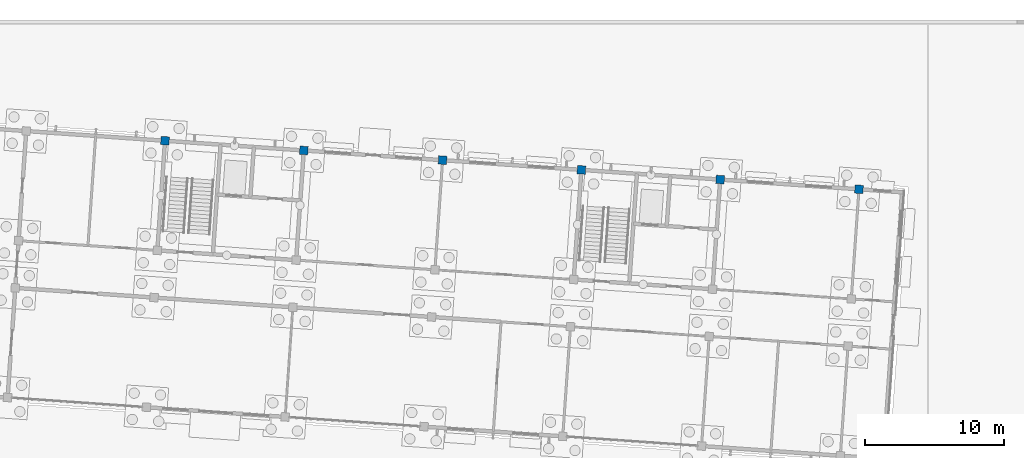
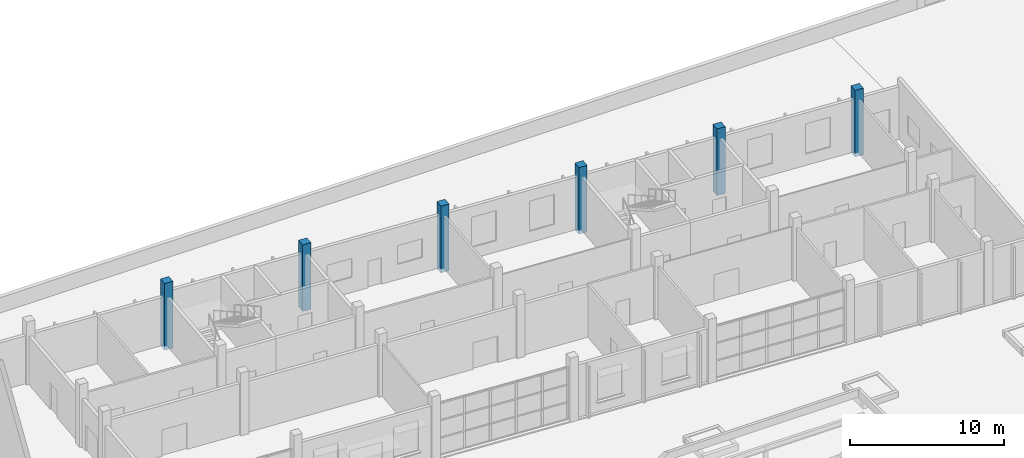
# One storey, part 29 of 157: 6 columns.
"""IFC4 building model written with IfcOpenShell, lengths in metres."""

import ifcopenshell
import ifcopenshell.guid

model = None  # the IFC model being written
_history = None  # IfcOwnerHistory: only IFC2X3 demands one
_inside = {}  # id of a spatial element -> (the spatial element, [elements in it])
_under = {}  # id of a project, library or spatial element -> (it, [spatial elements below it])
_declared = {}  # id of a project -> (the project, [libraries it declares])
_typed = {}  # id of a type object -> (the type object, [elements of that type])
_made_of = {}  # id of a material, layer set ... -> (it, [elements and type objects made of it])


def new_model(schema):
    """Start an empty IFC model of exactly this schema.

    Asked for "IFC4X3", IfcOpenShell would pick the latest addendum, in which some entities
    have other attributes; the version numbers below select the first issue.
    IFC2X3 requires an IfcOwnerHistory on every rooted entity: one is made here for all.
    """
    global model, _history
    if schema == "IFC4X3":
        model = ifcopenshell.file(schema_version=(4, 3, 0, 0))
    else:
        model = ifcopenshell.file(schema=schema)
    _inside.clear()
    _under.clear()
    _declared.clear()
    _typed.clear()
    _made_of.clear()
    _history = None
    if model.schema == "IFC2X3":
        org = make("IfcOrganization", Name="unknown")
        user = make(
            "IfcPersonAndOrganization",
            ThePerson=make("IfcPerson", FamilyName="unknown"),
            TheOrganization=org,
        )
        app = make(
            "IfcApplication",
            ApplicationDeveloper=org,
            Version="unknown",
            ApplicationFullName="unknown",
            ApplicationIdentifier="unknown",
        )
        _history = make(
            "IfcOwnerHistory",
            OwningUser=user,
            OwningApplication=app,
            ChangeAction="ADDED",
            CreationDate=0,
        )
    return model


def make(cls, **values):
    """One entity of the class cls with the attributes given. An attribute that is None is left unset."""
    return model.create_entity(
        cls, **{name: value for name, value in values.items() if value is not None}
    )


def rooted(cls, **values):
    """An entity with a GlobalId (a new one), such as an element, a storey or a relation."""
    return make(cls, GlobalId=ifcopenshell.guid.new(), OwnerHistory=_history, **values)


def si_unit(unit_type, name, prefix=None):
    """IfcSIUnit, for example si_unit("LENGTHUNIT", "METRE", prefix="MILLI")."""
    return make("IfcSIUnit", UnitType=unit_type, Prefix=prefix, Name=name)


def assignment(units):
    """IfcUnitAssignment: the units of a project."""
    return None if units is None else make("IfcUnitAssignment", Units=units)


def point(xyz):
    """IfcCartesianPoint."""
    return None if xyz is None else make("IfcCartesianPoint", Coordinates=xyz)


def direction(xyz):
    """IfcDirection."""
    return None if xyz is None else make("IfcDirection", DirectionRatios=xyz)


def frame(location, z_axis=None, x_axis=None):
    """IfcAxis2Placement3D, a coordinate frame: its origin and axes. An axis left out is left unset."""
    return make(
        "IfcAxis2Placement3D",
        Location=point(location),
        Axis=direction(z_axis),
        RefDirection=direction(x_axis),
    )


def frame_2d(location, x_axis=None):
    """IfcAxis2Placement2D, a coordinate frame in the plane: its origin and x axis."""
    return make(
        "IfcAxis2Placement2D", Location=point(location), RefDirection=direction(x_axis)
    )


def origin():
    """The frame at (0, 0, 0) with its axes left unset."""
    return frame((0.0, 0.0, 0.0))


def origin_2d():
    """The frame at (0, 0) in the plane with its x axis left unset."""
    return frame_2d((0.0, 0.0))


def place(relative_to, where):
    """IfcLocalPlacement: puts the frame where relative to a parent placement (None: the world)."""
    return make(
        "IfcLocalPlacement", PlacementRelTo=relative_to, RelativePlacement=where
    )


def context(
    kind, dimensions, precision=None, world=None, true_north=None, identifier=None
):
    """IfcGeometricRepresentationContext, for example the 3D "Model" context."""
    return make(
        "IfcGeometricRepresentationContext",
        ContextIdentifier=identifier,
        ContextType=kind,
        CoordinateSpaceDimension=dimensions,
        Precision=precision,
        WorldCoordinateSystem=world,
        TrueNorth=true_north,
    )


def subcontext(parent, identifier, kind, view, scale=None):
    """IfcGeometricRepresentationSubContext, for example "Body" below "Model"."""
    return make(
        "IfcGeometricRepresentationSubContext",
        ContextIdentifier=identifier,
        ContextType=kind,
        ParentContext=parent,
        TargetScale=scale,
        TargetView=view,
    )


def project(units=None, contexts=None):
    """IfcProject with its units and contexts."""
    return rooted(
        "IfcProject",
        Name="project",
        RepresentationContexts=contexts,
        UnitsInContext=assignment(units),
    )


def spatial(cls, under=None, at=None, **own):
    """A site, building, storey or space (cls), placed at a placement, below another one or the project."""
    s = rooted(cls, ObjectPlacement=at, **own)
    if under is not None:
        _under.setdefault(under.id(), (under, []))[1].append(s)
    return s


def profile(cls, at=None, kind="AREA", **sizes):
    """A parametric profile (cls). Its sizes go by their IFC names, for example OverallWidth=200.0."""
    return make(cls, ProfileType=kind, Position=at, **sizes)


def rectangle(**sizes):
    """IfcRectangleProfileDef."""
    return profile("IfcRectangleProfileDef", **sizes)


def extrude(swept, where, along, depth):
    """IfcExtrudedAreaSolid: the profile swept, set in the frame where, extruded along a direction by depth."""
    return make(
        "IfcExtrudedAreaSolid",
        SweptArea=swept,
        Position=where,
        ExtrudedDirection=direction(along),
        Depth=depth,
    )


def shape(context_of_items, identifier, shape_type, items):
    """IfcShapeRepresentation: the items that make up one representation, for example the "Body"."""
    return make(
        "IfcShapeRepresentation",
        ContextOfItems=context_of_items,
        RepresentationIdentifier=identifier,
        RepresentationType=shape_type,
        Items=items,
    )


def material(Name=None, Category=None):
    """IfcMaterial."""
    return make("IfcMaterial", Name=Name, Category=Category)


def material_profile(
    of_material, cross_section, Name=None, Category=None, Priority=None
):
    """IfcMaterialProfile: a cross section and its material."""
    return make(
        "IfcMaterialProfile",
        Name=Name,
        Material=of_material,
        Profile=cross_section,
        Priority=Priority,
        Category=Category,
    )


def profile_set(profiles, Name=None, composite=None):
    """IfcMaterialProfileSet."""
    return make(
        "IfcMaterialProfileSet",
        Name=Name,
        MaterialProfiles=profiles,
        CompositeProfile=composite,
    )


def made_of(thing, what):
    """Note that an element or type object is made of a material, layer set ...; save() writes the relation."""
    if what is not None:
        _made_of.setdefault(what.id(), (what, []))[1].append(thing)
    return thing


def type_object(cls, material=None, **own):
    """A type object (cls), such as IfcWallType, which elements share."""
    return made_of(rooted(cls, **own), material)


def element(
    cls,
    number,
    at=None,
    inside=None,
    cuts=None,
    type_object=None,
    material=None,
    context=None,
    identifier="Body",
    shape_type=None,
    held_by="IfcProductDefinitionShape",
    body=None,
    shapes=None,
    **own,
):
    """One element of the class cls, such as IfcWall. Its Tag is "e" and its number.

    at: its placement. inside: the storey or other place that contains it. cuts: it is an
    opening in that element (IfcRelVoidsElement). A single representation is given by context,
    identifier, shape_type and body (its items); several are given by shapes. held_by: the class
    of the entity that holds the representations. save() writes the other relations.
    """
    e = rooted(cls, Tag="e%d" % number, ObjectPlacement=at, **own)
    if body is not None:
        shapes = [shape(context, identifier, shape_type, body)]
    if shapes is not None:
        e.Representation = make(held_by, Representations=shapes)
    if inside is not None:
        _inside.setdefault(inside.id(), (inside, []))[1].append(e)
    if cuts is not None:
        rooted(
            "IfcRelVoidsElement", RelatingBuildingElement=cuts, RelatedOpeningElement=e
        )
    if type_object is not None:
        _typed.setdefault(type_object.id(), (type_object, []))[1].append(e)
    return made_of(e, material)


def aggregate(whole, parts):
    """IfcRelAggregates: a whole, such as a stair, and the parts it consists of."""
    return rooted("IfcRelAggregates", RelatingObject=whole, RelatedObjects=parts)


def save(model, path):
    """Write the relations noted so far, then the file.

    IfcRelAggregates (storeys below a building ...), IfcRelContainedInSpatialStructure (elements
    in a storey), IfcRelDefinesByType, IfcRelAssociatesMaterial and IfcRelDeclares: one each for
    every whole, place, type object, material and project.
    """
    for whole, parts in _under.values():
        aggregate(whole, parts)
    for where, things in _inside.values():
        rooted(
            "IfcRelContainedInSpatialStructure",
            RelatedElements=things,
            RelatingStructure=where,
        )
    for kind, things in _typed.values():
        rooted("IfcRelDefinesByType", RelatedObjects=things, RelatingType=kind)
    for what, things in _made_of.values():
        rooted("IfcRelAssociatesMaterial", RelatedObjects=things, RelatingMaterial=what)
    for by, libraries in _declared.values():
        rooted("IfcRelDeclares", RelatingContext=by, RelatedDefinitions=libraries)
    model.write(path)


model = new_model("IFC4")

# Units and contexts
model_context = context("Model", 3, precision=1e-05, world=origin(), true_north=direction((0.0, 1.0)))
body_context = subcontext(model_context, "Body", "Model", "MODEL_VIEW")
ifc_project = project(units=[si_unit("LENGTHUNIT", "METRE"), si_unit("AREAUNIT", "SQUARE_METRE"), si_unit("VOLUMEUNIT", "CUBIC_METRE"), si_unit("PLANEANGLEUNIT", "RADIAN"), si_unit("MASSUNIT", "GRAM", prefix="KILO")], contexts=[model_context])

# Site, building, storey
site_placement = place(None, origin())
site = spatial("IfcSite", under=ifc_project, at=site_placement, CompositionType="ELEMENT")
building_placement = place(site_placement, origin())
building = spatial("IfcBuilding", under=site, at=building_placement, Name="Windward Yard Aquatics Centre", CompositionType="ELEMENT")
storey_placement = place(building_placement, origin())
storey = spatial("IfcBuildingStorey", under=building, at=storey_placement, Name="L00", CompositionType="ELEMENT", Elevation=0.0)

# Columns
ifc_material = material(Name="Concrete C50/60", Category="concrete")
ifc_material_profile = material_profile(ifc_material, rectangle(XDim=0.60009765625, YDim=0.60009765625, at=origin_2d()), Name="RC 600x600")
ifc_profile_set = profile_set([ifc_material_profile], Name="Concrete C50/60")
column_type = type_object("IfcColumnType", Name="W RC 600x600 column Concrete C50/60", PredefinedType="COLUMN", material=ifc_profile_set)
for number, where, z_axis, x_axis, name in (
    (1, (119.17822265625, 135.32080078125, -0.300048828125), (0.0, 0.0, 1.0), (0.99756405026, -0.069756473744, 0.0), "W.COL.L00.2D"),
    (2, (129.15380859375, 134.623291015625, -0.300048828125), (0.0, 0.0, 1.0), (0.99756405026, -0.069756473744, 0.0), "W.COL.L00.3D"),
    (3, (139.12939453125, 133.925537109375, -0.300048828125), (0.0, 0.0, 1.0), (0.99756405026, -0.069756473744, 0.0), "W.COL.L00.4D"),
    (4, (149.10498046875, 133.22802734375, -0.300048828125), (0.0, 0.0, 1.0), (0.99756405026, -0.069756473744, 0.0), "W.COL.L00.5D"),
    (5, (159.080810546875, 132.530517578125, -0.300048828125), (0.0, 0.0, 1.0), (0.99756405026, -0.069756473744, 0.0), "W.COL.L00.6D"),
    (6, (169.056396484375, 131.8330078125, -0.300048828125), (0.0, 0.0, 1.0), (0.99756405026, -0.069756473744, 0.0), "W.COL.L00.7D"),
):
    element("IfcColumn", number, at=place(storey_placement, frame(where, z_axis=z_axis, x_axis=x_axis)), inside=storey, type_object=column_type, Name=name, PredefinedType="COLUMN", context=body_context, shape_type="SweptSolid", body=[
        extrude(rectangle(XDim=0.60009765625, YDim=0.60009765625, at=origin_2d()), origin(), (0.0, 0.0, 1.0), 5.300048828125),
    ])

save(model, "model.ifc")
